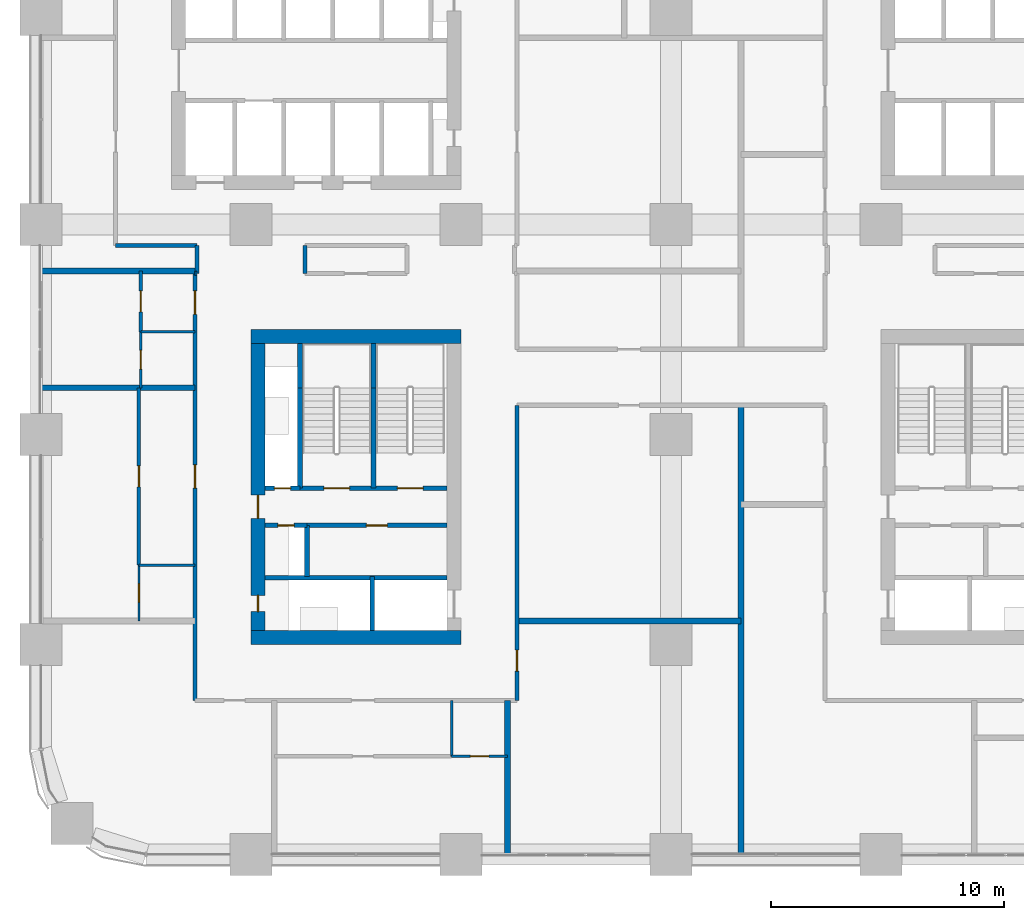
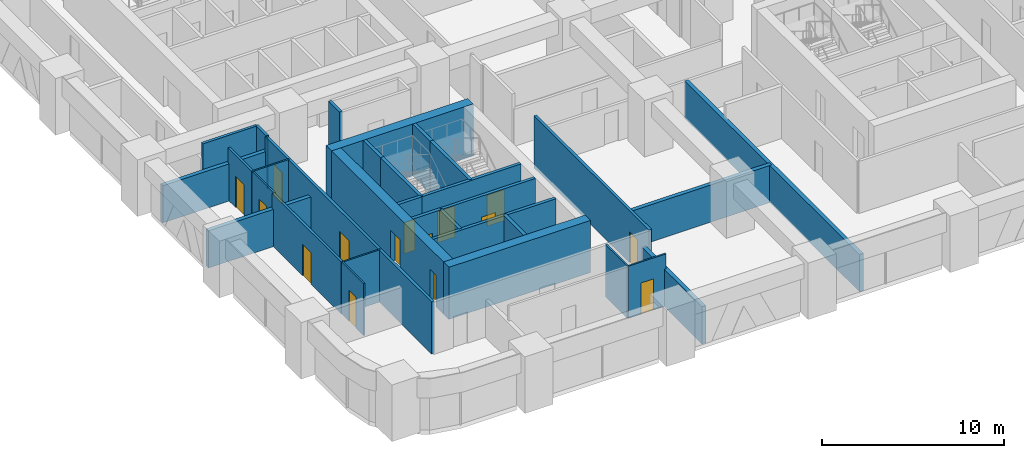
# One storey, part 12 of 21: 33 walls, 15 doors, 15 openings.
"""IFC4 building model written with IfcOpenShell, lengths in metres."""

from ifc_helpers import new_model, si_unit, direction, frame, frame_2d, origin, place, context, subcontext, project, spatial, rectangle, extrude, material, layer, layer_set, type_object, element, fill, save


model = new_model("IFC4")

# Units and contexts
model_context = context("Model", 3, precision=1e-05, world=origin(), true_north=direction((0.0, 1.0)))
body_context = subcontext(model_context, "Body", "Model", "MODEL_VIEW")
ifc_project = project(units=[si_unit("LENGTHUNIT", "METRE"), si_unit("AREAUNIT", "SQUARE_METRE"), si_unit("VOLUMEUNIT", "CUBIC_METRE"), si_unit("PLANEANGLEUNIT", "RADIAN"), si_unit("MASSUNIT", "GRAM", prefix="KILO")], contexts=[model_context])

# Site, building, storey
site_placement = place(None, origin())
site = spatial("IfcSite", under=ifc_project, at=site_placement, CompositionType="ELEMENT")
building_placement = place(site_placement, origin())
building = spatial("IfcBuilding", under=site, at=building_placement, Name="Tessera Arch", CompositionType="ELEMENT")
storey_placement = place(building_placement, frame((0.0, 0.0, 50.0)))
storey = spatial("IfcBuildingStorey", under=building, at=storey_placement, Name="L10", CompositionType="ELEMENT", Elevation=50.0)

# Wall, opening, door
ifc_material_1 = material(Name="Gypsum board on steel stud", Category="steel")
ifc_layer_1 = layer(ifc_material_1, 0.125)
ifc_layer_set_1 = layer_set([ifc_layer_1], Name="Core partition 125 EI 60")
wall_type_1 = type_object("IfcWallType", Name="Core partition 125 EI 60", PredefinedType="PARTITIONING", material=ifc_layer_set_1)
wall_1_placement = place(storey_placement, frame((11.39990234375, 14.10009765625, 0.0), z_axis=(0.0, 0.0, 1.0), x_axis=(1.0, 0.0, 0.0)))
wall_1 = element("IfcWall", 1, at=wall_1_placement, inside=storey, type_object=wall_type_1, Name="L10 C4 partition wall 8", PredefinedType="PARTITIONING", context=body_context, shape_type="SweptSolid", body=[
    extrude(rectangle(XDim=6.0, YDim=0.199951171875, at=frame_2d((3.0, 0.0))), origin(), (0.0, 0.0, 1.0), 3.5),
])
opening_1_placement = place(wall_1_placement, frame((2.550048828125, 0.0, 0.0)))
opening_1 = element("IfcOpeningElement", 2, at=opening_1_placement, cuts=wall_1, Name="Opening L10-C49", PredefinedType="OPENING", context=body_context, shape_type="SweptSolid", body=[
    extrude(rectangle(XDim=0.89990234375, YDim=2.10009765625, at=frame_2d((0.449951171875, 1.050048828125))), frame((0.0, 0.10986328125, 0.0), z_axis=(0.0, -1.0, 0.0), x_axis=(1.0, 0.0, 0.0)), (0.0, 0.0, 1.0), 0.219970703125),
])
ifc_material_2 = material(Name="Steel door leaf", Category="steel")
door_type_1 = type_object("IfcDoorType", Name="Store door FD30S 900 x 2100", OperationType="SINGLE_SWING_LEFT", PredefinedType="DOOR", material=ifc_material_2)
door_1_placement = place(opening_1_placement, origin())
door_1 = element("IfcDoor", 3, at=door_1_placement, inside=storey, type_object=door_type_1, Name="L10 C4 door 8 C49 type D09", OperationType="SINGLE_SWING_RIGHT", OverallHeight=2.10009765625, OverallWidth=0.89990234375, PredefinedType="DOOR", context=body_context, shape_type="SweptSolid", body=[
    extrude(rectangle(XDim=0.89990234375, YDim=2.10009765625, at=frame_2d((0.449951171875, 1.050048828125))), frame((0.0, 0.02490234375, 0.0), z_axis=(0.0, -1.0, 0.0), x_axis=(1.0, 0.0, 0.0)), (0.0, 0.0, 1.0), 0.050048828125),
])
fill(opening_1, door_1)

# Walls
ifc_material_3 = material(Name="Concrete C70/85", Category="concrete")
ifc_layer_2 = layer(ifc_material_3, 0.60009765625)
ifc_layer_set_2 = layer_set([ifc_layer_2], Name="Core shell wall 600 C70-85")
wall_type_2 = type_object("IfcWallType", Name="Core shell wall 600 C70-85", PredefinedType="SHEAR", material=ifc_layer_set_2)
for number, where, z_axis, x_axis, name in (
    (4, (9.0, 9.300048828125, 0.0), (0.0, 0.0, 1.0), (1.0, 0.0, 0.0), "L10 C4 core wall S"),
    (5, (9.0, 22.199951171875, 0.0), (0.0, 0.0, 1.0), (1.0, 0.0, 0.0), "L10 C4 core wall N"),
):
    element("IfcWall", number, at=place(storey_placement, frame(where, z_axis=z_axis, x_axis=x_axis)), inside=storey, type_object=wall_type_2, Name=name, PredefinedType="SHEAR", context=body_context, shape_type="SweptSolid", body=[
        extrude(rectangle(XDim=9.0, YDim=0.60009765625, at=frame_2d((4.5, 0.0))), origin(), (0.0, 0.0, 1.0), 3.5),
    ])

# Wall, openings, doors
wall_2_placement = place(storey_placement, frame((9.300048828125, 9.60009765625, 0.0), z_axis=(0.0, 0.0, 1.0), x_axis=(0.0, 1.0, 0.0)))
wall_2 = element("IfcWall", 6, at=wall_2_placement, inside=storey, type_object=wall_type_2, Name="L10 C4 core wall W", PredefinedType="SHEAR", context=body_context, shape_type="SweptSolid", body=[
    extrude(rectangle(XDim=12.2998046875, YDim=0.60009765625, at=frame_2d((6.14990234375, 0.0))), origin(), (0.0, 0.0, 1.0), 3.5),
])
opening_2_placement = place(wall_2_placement, frame((0.800048828125, 0.0, 0.0)))
opening_2 = element("IfcOpeningElement", 7, at=opening_2_placement, cuts=wall_2, Name="Opening L10-C47", PredefinedType="OPENING", context=body_context, shape_type="SweptSolid", body=[
    extrude(rectangle(XDim=0.699951171875, YDim=2.10009765625, at=frame_2d((0.35009765625, 1.050048828125))), frame((0.0, 0.31005859375, 0.0), z_axis=(0.0, -1.0, 0.0), x_axis=(1.0, 0.0, 0.0)), (0.0, 0.0, 1.0), 0.6201171875),
])
opening_3_placement = place(wall_2_placement, frame((4.800048828125, 0.0, 0.0)))
opening_3 = element("IfcOpeningElement", 8, at=opening_3_placement, cuts=wall_2, Name="Opening L10-C48", PredefinedType="OPENING", context=body_context, shape_type="SweptSolid", body=[
    extrude(rectangle(XDim=1.0, YDim=2.10009765625, at=frame_2d((0.5, 1.050048828125))), frame((0.0, 0.31005859375, 0.0), z_axis=(0.0, -1.0, 0.0), x_axis=(1.0, 0.0, 0.0)), (0.0, 0.0, 1.0), 0.6201171875),
])
ifc_material_4 = material(Name="Steel door leaf", Category="steel")
door_type_2 = type_object("IfcDoorType", Name="Corridor door FD60 1000 x 2100", OperationType="SINGLE_SWING_LEFT", PredefinedType="DOOR", material=ifc_material_4)
door_2_placement = place(opening_3_placement, origin())
door_2 = element("IfcDoor", 9, at=door_2_placement, inside=storey, type_object=door_type_2, Name="L10 C4 door 7 C48 type D12", OperationType="SINGLE_SWING_LEFT", OverallHeight=2.10009765625, OverallWidth=1.0, PredefinedType="DOOR", context=body_context, shape_type="SweptSolid", body=[
    extrude(rectangle(XDim=1.0, YDim=2.10009765625, at=frame_2d((0.5, 1.050048828125))), frame((0.0, 0.02490234375, 0.0), z_axis=(0.0, -1.0, 0.0), x_axis=(1.0, 0.0, 0.0)), (0.0, 0.0, 1.0), 0.050048828125),
])
fill(opening_3, door_2)
ifc_material_5 = material(Name="Steel door leaf", Category="steel")
door_type_3 = type_object("IfcDoorType", Name="Service shaft door FD60 700 x 2100", OperationType="SINGLE_SWING_LEFT", PredefinedType="DOOR", material=ifc_material_5)
door_3_placement = place(opening_2_placement, origin())
door_3 = element("IfcDoor", 10, at=door_3_placement, inside=storey, type_object=door_type_3, Name="L10 C4 door 6 C47 type D07", OperationType="SINGLE_SWING_LEFT", OverallHeight=2.10009765625, OverallWidth=0.699951171875, PredefinedType="DOOR", context=body_context, shape_type="SweptSolid", body=[
    extrude(rectangle(XDim=0.699951171875, YDim=2.10009765625, at=frame_2d((0.35009765625, 1.050048828125))), frame((0.0, 0.02490234375, 0.0), z_axis=(0.0, -1.0, 0.0), x_axis=(1.0, 0.0, 0.0)), (0.0, 0.0, 1.0), 0.050048828125),
])
fill(opening_2, door_3)

# Walls
ifc_material_6 = material(Name="Gypsum board on deep steel stud with mineral wool", Category="steel")
ifc_layer_3 = layer(ifc_material_6, 0.175048828125)
ifc_layer_set_3 = layer_set([ifc_layer_3], Name="Corridor wall 175 EI 60")
wall_type_3 = type_object("IfcWallType", Name="Corridor wall 175 EI 60", PredefinedType="PARTITIONING", material=ifc_layer_set_3)
wall_3_placement = place(storey_placement, frame((6.60009765625, 24.89990234375, 0.0), z_axis=(0.0, 0.0, 1.0), x_axis=(1.0, 0.0, 0.0)))
element("IfcWall", 11, at=wall_3_placement, inside=storey, type_object=wall_type_3, Name="L10 partition 5", PredefinedType="PARTITIONING", context=body_context, shape_type="SweptSolid", body=[
    extrude(rectangle(XDim=0.079833984375, YDim=0.175048828125, at=frame_2d((0.0400390625, 0.0))), origin(), (0.0, 0.0, 1.0), 3.5),
])
wall_4_placement = place(storey_placement, frame((3.199951171875, 26.10009765625, 0.0), z_axis=(0.0, 0.0, 1.0), x_axis=(1.0, 0.0, 0.0)))
element("IfcWall", 12, at=wall_4_placement, inside=storey, type_object=wall_type_3, Name="L10 partition 11", PredefinedType="PARTITIONING", context=body_context, shape_type="SweptSolid", body=[
    extrude(rectangle(XDim=3.47998046875, YDim=0.175048828125, at=frame_2d((1.739990234375, 0.0))), origin(), (0.0, 0.0, 1.0), 3.5),
])

# Wall, openings, doors
wall_5_placement = place(storey_placement, frame((6.60009765625, 6.60009765625, 0.0), z_axis=(0.0, 0.0, 1.0), x_axis=(0.0, 1.0, 0.0)))
wall_5 = element("IfcWall", 13, at=wall_5_placement, inside=storey, type_object=wall_type_3, Name="L10 partition 22", PredefinedType="PARTITIONING", context=body_context, shape_type="SweptSolid", body=[
    extrude(rectangle(XDim=18.2998046875, YDim=0.175048828125, at=frame_2d((9.14990234375, 0.0))), origin(), (0.0, 0.0, 1.0), 3.5),
])
opening_4_placement = place(wall_5_placement, frame((9.10009765625, 0.0, 0.0)))
opening_4 = element("IfcOpeningElement", 14, at=opening_4_placement, cuts=wall_5, Name="Opening L10-D010", PredefinedType="OPENING", context=body_context, shape_type="SweptSolid", body=[
    extrude(rectangle(XDim=1.0, YDim=2.10009765625, at=frame_2d((0.5, 1.050048828125))), frame((0.0, 0.097412109375, 0.0), z_axis=(0.0, -1.0, 0.0), x_axis=(1.0, 0.0, 0.0)), (0.0, 0.0, 1.0), 0.195068359375),
])
opening_5_placement = place(wall_5_placement, frame((16.550048828125, 0.0, 0.0)))
opening_5 = element("IfcOpeningElement", 15, at=opening_5_placement, cuts=wall_5, Name="Opening L10-D017", PredefinedType="OPENING", context=body_context, shape_type="SweptSolid", body=[
    extrude(rectangle(XDim=1.0, YDim=2.10009765625, at=frame_2d((0.5, 1.050048828125))), frame((0.0, 0.097412109375, 0.0), z_axis=(0.0, -1.0, 0.0), x_axis=(1.0, 0.0, 0.0)), (0.0, 0.0, 1.0), 0.195068359375),
])
ifc_material_7 = material(Name="Fire-rated door leaf")
door_type_4 = type_object("IfcDoorType", Name="Entrance door FD30S 1000 x 2100", OperationType="SINGLE_SWING_LEFT", PredefinedType="DOOR", material=ifc_material_7)
door_4_placement = place(opening_4_placement, origin())
door_4 = element("IfcDoor", 16, at=door_4_placement, inside=storey, type_object=door_type_4, Name="L10 door D010 type D03", OperationType="SINGLE_SWING_RIGHT", OverallHeight=2.10009765625, OverallWidth=1.0, PredefinedType="DOOR", context=body_context, shape_type="SweptSolid", body=[
    extrude(rectangle(XDim=1.0, YDim=2.10009765625, at=frame_2d((0.5, 1.050048828125))), frame((0.0, 0.02490234375, 0.0), z_axis=(0.0, -1.0, 0.0), x_axis=(1.0, 0.0, 0.0)), (0.0, 0.0, 1.0), 0.050048828125),
])
fill(opening_4, door_4)
door_5_placement = place(opening_5_placement, origin())
door_5 = element("IfcDoor", 17, at=door_5_placement, inside=storey, type_object=door_type_4, Name="L10 door D017 type D03", OperationType="SINGLE_SWING_LEFT", OverallHeight=2.10009765625, OverallWidth=1.0, PredefinedType="DOOR", context=body_context, shape_type="SweptSolid", body=[
    extrude(rectangle(XDim=1.0, YDim=2.10009765625, at=frame_2d((0.5, 1.050048828125))), frame((0.0, 0.02490234375, 0.0), z_axis=(0.0, -1.0, 0.0), x_axis=(1.0, 0.0, 0.0)), (0.0, 0.0, 1.0), 0.050048828125),
])
fill(opening_5, door_5)

# Walls
for number, where, z_axis, x_axis, name in (
    (18, (6.679931640625, 24.89990234375, 0.0), (0.0, 0.0, 1.0), (0.0, 1.0, 0.0), "L10 partition 23"),
    (19, (11.320068359375, 24.89990234375, 0.0), (0.0, 0.0, 1.0), (0.0, 1.0, 0.0), "L10 partition 24"),
):
    element("IfcWall", number, at=place(storey_placement, frame(where, z_axis=z_axis, x_axis=x_axis)), inside=storey, type_object=wall_type_3, Name=name, PredefinedType="PARTITIONING", context=body_context, shape_type="SweptSolid", body=[
        extrude(rectangle(XDim=1.2001953125, YDim=0.175048828125, at=frame_2d((0.60009765625, 0.0))), origin(), (0.0, 0.0, 1.0), 3.5),
    ])

# Wall, opening, door
wall_6_placement = place(storey_placement, frame((20.39990234375, 6.60009765625, 0.0), z_axis=(0.0, 0.0, 1.0), x_axis=(0.0, 1.0, 0.0)))
wall_6 = element("IfcWall", 20, at=wall_6_placement, inside=storey, type_object=wall_type_3, Name="L10 partition 27", PredefinedType="PARTITIONING", context=body_context, shape_type="SweptSolid", body=[
    extrude(rectangle(XDim=12.64990234375, YDim=0.175048828125, at=frame_2d((6.324951171875, 0.0))), origin(), (0.0, 0.0, 1.0), 3.5),
])
opening_6_placement = place(wall_6_placement, frame((1.25, 0.0, 0.0)))
opening_6 = element("IfcOpeningElement", 21, at=opening_6_placement, cuts=wall_6, Name="Opening L10-D005", PredefinedType="OPENING", context=body_context, shape_type="SweptSolid", body=[
    extrude(rectangle(XDim=0.89990234375, YDim=2.10009765625, at=frame_2d((0.449951171875, 1.050048828125))), frame((0.0, 0.097412109375, 0.0), z_axis=(0.0, -1.0, 0.0), x_axis=(1.0, 0.0, 0.0)), (0.0, 0.0, 1.0), 0.195068359375),
])
ifc_material_8 = material(Name="Timber door leaf", Category="wood")
door_type_5 = type_object("IfcDoorType", Name="Room door 900 x 2100", OperationType="SINGLE_SWING_LEFT", PredefinedType="DOOR", material=ifc_material_8)
door_6_placement = place(opening_6_placement, origin())
door_6 = element("IfcDoor", 22, at=door_6_placement, inside=storey, type_object=door_type_5, Name="L10 door D005 type D01", OperationType="SINGLE_SWING_RIGHT", OverallHeight=2.10009765625, OverallWidth=0.89990234375, PredefinedType="DOOR", context=body_context, shape_type="SweptSolid", body=[
    extrude(rectangle(XDim=0.89990234375, YDim=2.10009765625, at=frame_2d((0.449951171875, 1.050048828125))), frame((0.0, 0.02490234375, 0.0), z_axis=(0.0, -1.0, 0.0), x_axis=(1.0, 0.0, 0.0)), (0.0, 0.0, 1.0), 0.050048828125),
])
fill(opening_6, door_6)

ifc_material_9 = material(Name="Gypsum board on steel stud", Category="steel")
ifc_layer_4 = layer(ifc_material_9, 0.14990234375)
ifc_layer_set_4 = layer_set([ifc_layer_4], Name="Partition 150")
wall_type_4 = type_object("IfcWallType", Name="Partition 150", PredefinedType="PARTITIONING", material=ifc_layer_set_4)
wall_7_placement = place(storey_placement, frame((4.199951171875, 12.39990234375, 0.0), z_axis=(0.0, 0.0, 1.0), x_axis=(0.0, 1.0, 0.0)))
wall_7 = element("IfcWall", 23, at=wall_7_placement, inside=storey, type_object=wall_type_4, Name="L10 partition 42", PredefinedType="PARTITIONING", context=body_context, shape_type="SweptSolid", body=[
    extrude(rectangle(XDim=7.60009765625, YDim=0.14990234375, at=frame_2d((3.800048828125, 0.0))), origin(), (0.0, 0.0, 1.0), 3.5),
])
opening_7_placement = place(wall_7_placement, frame((3.35009765625, 0.0, 0.0)))
opening_7 = element("IfcOpeningElement", 24, at=opening_7_placement, cuts=wall_7, Name="Opening L10-D011", PredefinedType="OPENING", context=body_context, shape_type="SweptSolid", body=[
    extrude(rectangle(XDim=0.89990234375, YDim=2.10009765625, at=frame_2d((0.449951171875, 1.050048828125))), frame((0.0, 0.0849609375, 0.0), z_axis=(0.0, -1.0, 0.0), x_axis=(1.0, 0.0, 0.0)), (0.0, 0.0, 1.0), 0.169921875),
])
door_7_placement = place(opening_7_placement, origin())
door_7 = element("IfcDoor", 25, at=door_7_placement, inside=storey, type_object=door_type_5, Name="L10 door D011 type D01", OperationType="SINGLE_SWING_LEFT", OverallHeight=2.10009765625, OverallWidth=0.89990234375, PredefinedType="DOOR", context=body_context, shape_type="SweptSolid", body=[
    extrude(rectangle(XDim=0.89990234375, YDim=2.10009765625, at=frame_2d((0.449951171875, 1.050048828125))), frame((0.0, 0.02490234375, 0.0), z_axis=(0.0, -1.0, 0.0), x_axis=(1.0, 0.0, 0.0)), (0.0, 0.0, 1.0), 0.050048828125),
])
fill(opening_7, door_7)

wall_8_placement = place(storey_placement, frame((4.280029296875, 22.39990234375, 0.0), z_axis=(0.0, 0.0, 1.0), x_axis=(0.0, 1.0, 0.0)))
wall_8 = element("IfcWall", 26, at=wall_8_placement, inside=storey, type_object=wall_type_4, Name="L10 partition 43", PredefinedType="PARTITIONING", context=body_context, shape_type="SweptSolid", body=[
    extrude(rectangle(XDim=2.60009765625, YDim=0.14990234375, at=frame_2d((1.300048828125, 0.0))), origin(), (0.0, 0.0, 1.0), 3.5),
])
opening_8_placement = place(wall_8_placement, frame((0.85009765625, 0.0, 0.0)))
opening_8 = element("IfcOpeningElement", 27, at=opening_8_placement, cuts=wall_8, Name="Opening L10-D018", PredefinedType="OPENING", context=body_context, shape_type="SweptSolid", body=[
    extrude(rectangle(XDim=0.89990234375, YDim=2.10009765625, at=frame_2d((0.449951171875, 1.050048828125))), frame((0.0, 0.0849609375, 0.0), z_axis=(0.0, -1.0, 0.0), x_axis=(1.0, 0.0, 0.0)), (0.0, 0.0, 1.0), 0.169921875),
])
door_8_placement = place(opening_8_placement, origin())
door_8 = element("IfcDoor", 28, at=door_8_placement, inside=storey, type_object=door_type_5, Name="L10 door D018 type D01", OperationType="SINGLE_SWING_RIGHT", OverallHeight=2.10009765625, OverallWidth=0.89990234375, PredefinedType="DOOR", context=body_context, shape_type="SweptSolid", body=[
    extrude(rectangle(XDim=0.89990234375, YDim=2.10009765625, at=frame_2d((0.449951171875, 1.050048828125))), frame((0.0, 0.02490234375, 0.0), z_axis=(0.0, -1.0, 0.0), x_axis=(1.0, 0.0, 0.0)), (0.0, 0.0, 1.0), 0.050048828125),
])
fill(opening_8, door_8)

# Walls
ifc_material_10 = material(Name="Double gypsum board on twin steel stud with acoustic mineral wool", Category="steel")
ifc_layer_5 = layer(ifc_material_10, 0.25)
ifc_layer_set_5 = layer_set([ifc_layer_5], Name="Party wall 250 EI 60")
wall_type_5 = type_object("IfcWallType", Name="Party wall 250 EI 60", PredefinedType="PARTITIONING", material=ifc_layer_set_5)
wall_9_placement = place(storey_placement, frame((20.39990234375, 10.0, 0.0), z_axis=(0.0, 0.0, 1.0), x_axis=(1.0, 0.0, 0.0)))
element("IfcWall", 29, at=wall_9_placement, inside=storey, type_object=wall_type_5, Name="L10 partition 48", PredefinedType="PARTITIONING", context=body_context, shape_type="SweptSolid", body=[
    extrude(rectangle(XDim=9.60009765625, YDim=0.25, at=frame_2d((4.800048828125, 0.0))), origin(), (0.0, 0.0, 1.0), 2.5),
])
wall_10_placement = place(storey_placement, frame((0.0, 20.0, 0.0), z_axis=(0.0, 0.0, 1.0), x_axis=(1.0, 0.0, 0.0)))
element("IfcWall", 30, at=wall_10_placement, inside=storey, type_object=wall_type_5, Name="L10 partition 51", PredefinedType="PARTITIONING", context=body_context, shape_type="SweptSolid", body=[
    extrude(rectangle(XDim=6.60009765625, YDim=0.25, at=frame_2d((3.300048828125, 0.0))), origin(), (0.0, 0.0, 1.0), 2.5),
])
wall_11_placement = place(storey_placement, frame((0.0, 25.0, 0.0), z_axis=(0.0, 0.0, 1.0), x_axis=(1.0, 0.0, 0.0)))
element("IfcWall", 31, at=wall_11_placement, inside=storey, type_object=wall_type_5, Name="L10 partition 53", PredefinedType="PARTITIONING", context=body_context, shape_type="SweptSolid", body=[
    extrude(rectangle(XDim=6.679931640625, YDim=0.25, at=frame_2d((3.33984375, 0.0))), origin(), (0.0, 0.0, 1.0), 2.5),
])
wall_12_placement = place(storey_placement, frame((20.0, 0.0, 0.0), z_axis=(0.0, 0.0, 1.0), x_axis=(0.0, 1.0, 0.0)))
element("IfcWall", 32, at=wall_12_placement, inside=storey, type_object=wall_type_5, Name="L10 partition 66", PredefinedType="PARTITIONING", context=body_context, shape_type="SweptSolid", body=[
    extrude(rectangle(XDim=6.60009765625, YDim=0.25, at=frame_2d((3.300048828125, 0.0))), origin(), (0.0, 0.0, 1.0), 2.5),
])
wall_13_placement = place(storey_placement, frame((30.0, 0.0, 0.0), z_axis=(0.0, 0.0, 1.0), x_axis=(0.0, 1.0, 0.0)))
element("IfcWall", 33, at=wall_13_placement, inside=storey, type_object=wall_type_5, Name="L10 partition 69", PredefinedType="PARTITIONING", context=body_context, shape_type="SweptSolid", body=[
    extrude(rectangle(XDim=19.25, YDim=0.25, at=frame_2d((9.625, 0.0))), origin(), (0.0, 0.0, 1.0), 2.5),
])
ifc_material_11 = material(Name="Concrete C40/50", Category="concrete")
ifc_layer_6 = layer(ifc_material_11, 0.199951171875)
ifc_layer_set_6 = layer_set([ifc_layer_6], Name="Shaft wall 200 EI 120")
wall_type_6 = type_object("IfcWallType", Name="Shaft wall 200 EI 120", PredefinedType="SOLIDWALL", material=ifc_layer_set_6)
wall_14_placement = place(storey_placement, frame((11.39990234375, 11.89990234375, 0.0), z_axis=(0.0, 0.0, 1.0), x_axis=(0.0, 1.0, 0.0)))
element("IfcWall", 34, at=wall_14_placement, inside=storey, type_object=wall_type_6, Name="L10 C4 shaft wall 3", PredefinedType="SOLIDWALL", context=body_context, shape_type="SweptSolid", body=[
    extrude(rectangle(XDim=2.2001953125, YDim=0.199951171875, at=frame_2d((1.10009765625, 0.0))), origin(), (0.0, 0.0, 1.0), 3.5),
])
wall_15_placement = place(storey_placement, frame((14.199951171875, 9.60009765625, 0.0), z_axis=(0.0, 0.0, 1.0), x_axis=(0.0, 1.0, 0.0)))
element("IfcWall", 35, at=wall_15_placement, inside=storey, type_object=wall_type_6, Name="L10 C4 shaft wall 4", PredefinedType="SOLIDWALL", context=body_context, shape_type="SweptSolid", body=[
    extrude(rectangle(XDim=2.2998046875, YDim=0.199951171875, at=frame_2d((1.14990234375, 0.0))), origin(), (0.0, 0.0, 1.0), 3.5),
])
wall_16_placement = place(storey_placement, frame((9.60009765625, 11.85009765625, 0.0), z_axis=(0.0, 0.0, 1.0), x_axis=(1.0, 0.0, 0.0)))
element("IfcWall", 36, at=wall_16_placement, inside=storey, type_object=wall_type_6, Name="L10 C4 shaft wall 7", PredefinedType="SOLIDWALL", context=body_context, shape_type="SweptSolid", body=[
    extrude(rectangle(XDim=7.7998046875, YDim=0.199951171875, at=frame_2d((3.89990234375, 0.0))), origin(), (0.0, 0.0, 1.0), 3.5),
])

# Wall, opening, door
wall_17_placement = place(storey_placement, frame((9.60009765625, 14.10009765625, 0.0), z_axis=(0.0, 0.0, 1.0), x_axis=(1.0, 0.0, 0.0)))
wall_17 = element("IfcWall", 37, at=wall_17_placement, inside=storey, type_object=wall_type_6, Name="L10 C4 shaft wall 9", PredefinedType="SOLIDWALL", context=body_context, shape_type="SweptSolid", body=[
    extrude(rectangle(XDim=1.7998046875, YDim=0.199951171875, at=frame_2d((0.89990234375, 0.0))), origin(), (0.0, 0.0, 1.0), 3.5),
])
opening_9_placement = place(wall_17_placement, frame((0.550048828125, 0.0, 0.0)))
opening_9 = element("IfcOpeningElement", 38, at=opening_9_placement, cuts=wall_17, Name="Opening L10-C46", PredefinedType="OPENING", context=body_context, shape_type="SweptSolid", body=[
    extrude(rectangle(XDim=0.699951171875, YDim=2.10009765625, at=frame_2d((0.35009765625, 1.050048828125))), frame((0.0, 0.10986328125, 0.0), z_axis=(0.0, -1.0, 0.0), x_axis=(1.0, 0.0, 0.0)), (0.0, 0.0, 1.0), 0.219970703125),
])
door_9_placement = place(opening_9_placement, origin())
door_9 = element("IfcDoor", 39, at=door_9_placement, inside=storey, type_object=door_type_3, Name="L10 C4 door 5 C46 type D07", OperationType="SINGLE_SWING_LEFT", OverallHeight=2.10009765625, OverallWidth=0.699951171875, PredefinedType="DOOR", context=body_context, shape_type="SweptSolid", body=[
    extrude(rectangle(XDim=0.699951171875, YDim=2.10009765625, at=frame_2d((0.35009765625, 1.050048828125))), frame((0.0, 0.02490234375, 0.0), z_axis=(0.0, -1.0, 0.0), x_axis=(1.0, 0.0, 0.0)), (0.0, 0.0, 1.0), 0.050048828125),
])
fill(opening_9, door_9)

wall_18_placement = place(storey_placement, frame((9.60009765625, 15.699951171875, 0.0), z_axis=(0.0, 0.0, 1.0), x_axis=(1.0, 0.0, 0.0)))
wall_18 = element("IfcWall", 40, at=wall_18_placement, inside=storey, type_object=wall_type_6, Name="L10 C4 shaft wall 10", PredefinedType="SOLIDWALL", context=body_context, shape_type="SweptSolid", body=[
    extrude(rectangle(XDim=1.5, YDim=0.199951171875, at=frame_2d((0.75, 0.0))), origin(), (0.0, 0.0, 1.0), 3.5),
])
opening_10_placement = place(wall_18_placement, frame((0.39990234375, 0.0, 0.0)))
opening_10 = element("IfcOpeningElement", 41, at=opening_10_placement, cuts=wall_18, Name="Opening L10-C45", PredefinedType="OPENING", context=body_context, shape_type="SweptSolid", body=[
    extrude(rectangle(XDim=0.699951171875, YDim=2.10009765625, at=frame_2d((0.35009765625, 1.050048828125))), frame((0.0, 0.10986328125, 0.0), z_axis=(0.0, -1.0, 0.0), x_axis=(1.0, 0.0, 0.0)), (0.0, 0.0, 1.0), 0.219970703125),
])
door_10_placement = place(opening_10_placement, origin())
door_10 = element("IfcDoor", 42, at=door_10_placement, inside=storey, type_object=door_type_3, Name="L10 C4 door 4 C45 type D07", OperationType="SINGLE_SWING_LEFT", OverallHeight=2.10009765625, OverallWidth=0.699951171875, PredefinedType="DOOR", context=body_context, shape_type="SweptSolid", body=[
    extrude(rectangle(XDim=0.699951171875, YDim=2.10009765625, at=frame_2d((0.35009765625, 1.050048828125))), frame((0.0, 0.02490234375, 0.0), z_axis=(0.0, -1.0, 0.0), x_axis=(1.0, 0.0, 0.0)), (0.0, 0.0, 1.0), 0.050048828125),
])
fill(opening_10, door_10)

# Walls
ifc_material_12 = material(Name="Concrete C40/50", Category="concrete")
ifc_layer_7 = layer(ifc_material_12, 0.199951171875)
ifc_layer_set_7 = layer_set([ifc_layer_7], Name="Stair well wall 200 REI 180")
wall_type_7 = type_object("IfcWallType", Name="Stair well wall 200 REI 180", PredefinedType="SOLIDWALL", material=ifc_layer_set_7)
wall_19_placement = place(storey_placement, frame((11.10009765625, 15.699951171875, 0.0), z_axis=(0.0, 0.0, 1.0), x_axis=(0.0, 1.0, 0.0)))
element("IfcWall", 43, at=wall_19_placement, inside=storey, type_object=wall_type_7, Name="L10 C4 shaft wall 1", PredefinedType="SOLIDWALL", context=body_context, shape_type="SweptSolid", body=[
    extrude(rectangle(XDim=4.300048828125, YDim=0.199951171875, at=frame_2d((2.14990234375, 0.0))), origin(), (0.0, 0.0, 1.0), 3.5),
])
wall_20_placement = place(storey_placement, frame((11.10009765625, 20.0, 0.0), z_axis=(0.0, 0.0, 1.0), x_axis=(0.0, 1.0, 0.0)))
element("IfcWall", 44, at=wall_20_placement, inside=storey, type_object=wall_type_7, Name="L10 C4 shaft wall 2", PredefinedType="SOLIDWALL", context=body_context, shape_type="SweptSolid", body=[
    extrude(rectangle(XDim=1.89990234375, YDim=0.199951171875, at=frame_2d((0.949951171875, 0.0))), origin(), (0.0, 0.0, 1.0), 3.5),
])
wall_21_placement = place(storey_placement, frame((14.25, 15.699951171875, 0.0), z_axis=(0.0, 0.0, 1.0), x_axis=(0.0, 1.0, 0.0)))
element("IfcWall", 45, at=wall_21_placement, inside=storey, type_object=wall_type_7, Name="L10 C4 shaft wall 5", PredefinedType="SOLIDWALL", context=body_context, shape_type="SweptSolid", body=[
    extrude(rectangle(XDim=4.300048828125, YDim=0.199951171875, at=frame_2d((2.14990234375, 0.0))), origin(), (0.0, 0.0, 1.0), 3.5),
])
wall_22_placement = place(storey_placement, frame((14.25, 20.0, 0.0), z_axis=(0.0, 0.0, 1.0), x_axis=(0.0, 1.0, 0.0)))
element("IfcWall", 46, at=wall_22_placement, inside=storey, type_object=wall_type_7, Name="L10 C4 shaft wall 6", PredefinedType="SOLIDWALL", context=body_context, shape_type="SweptSolid", body=[
    extrude(rectangle(XDim=1.89990234375, YDim=0.199951171875, at=frame_2d((0.949951171875, 0.0))), origin(), (0.0, 0.0, 1.0), 3.5),
])

# Wall, openings, doors
wall_23_placement = place(storey_placement, frame((11.10009765625, 15.699951171875, 0.0), z_axis=(0.0, 0.0, 1.0), x_axis=(1.0, 0.0, 0.0)))
wall_23 = element("IfcWall", 47, at=wall_23_placement, inside=storey, type_object=wall_type_7, Name="L10 C4 shaft wall 11", PredefinedType="SOLIDWALL", context=body_context, shape_type="SweptSolid", body=[
    extrude(rectangle(XDim=6.2998046875, YDim=0.199951171875, at=frame_2d((3.14990234375, 0.0))), origin(), (0.0, 0.0, 1.0), 3.5),
])
opening_11_placement = place(wall_23_placement, frame((4.175048828125, 0.0, 0.0)))
opening_11 = element("IfcOpeningElement", 48, at=opening_11_placement, cuts=wall_23, Name="Opening L10-C43", PredefinedType="OPENING", context=body_context, shape_type="SweptSolid", body=[
    extrude(rectangle(XDim=1.10009765625, YDim=2.10009765625, at=frame_2d((0.550048828125, 1.050048828125))), frame((0.0, 0.10986328125, 0.0), z_axis=(0.0, -1.0, 0.0), x_axis=(1.0, 0.0, 0.0)), (0.0, 0.0, 1.0), 0.219970703125),
])
opening_12_placement = place(wall_23_placement, frame((1.02490234375, 0.0, 0.0)))
opening_12 = element("IfcOpeningElement", 49, at=opening_12_placement, cuts=wall_23, Name="Opening L10-C44", PredefinedType="OPENING", context=body_context, shape_type="SweptSolid", body=[
    extrude(rectangle(XDim=1.10009765625, YDim=2.10009765625, at=frame_2d((0.550048828125, 1.050048828125))), frame((0.0, 0.10986328125, 0.0), z_axis=(0.0, -1.0, 0.0), x_axis=(1.0, 0.0, 0.0)), (0.0, 0.0, 1.0), 0.219970703125),
])
ifc_material_13 = material(Name="Steel door leaf", Category="steel")
door_type_6 = type_object("IfcDoorType", Name="Stair door FD60 1100 x 2100", OperationType="SINGLE_SWING_LEFT", PredefinedType="DOOR", material=ifc_material_13)
door_11_placement = place(opening_11_placement, origin())
door_11 = element("IfcDoor", 50, at=door_11_placement, inside=storey, type_object=door_type_6, Name="L10 C4 door 2 C43 type D05", OperationType="SINGLE_SWING_RIGHT", OverallHeight=2.10009765625, OverallWidth=1.10009765625, PredefinedType="DOOR", context=body_context, shape_type="SweptSolid", body=[
    extrude(rectangle(XDim=1.10009765625, YDim=2.10009765625, at=frame_2d((0.550048828125, 1.050048828125))), frame((0.0, 0.02490234375, 0.0), z_axis=(0.0, -1.0, 0.0), x_axis=(1.0, 0.0, 0.0)), (0.0, 0.0, 1.0), 0.050048828125),
])
fill(opening_11, door_11)
door_12_placement = place(opening_12_placement, origin())
door_12 = element("IfcDoor", 51, at=door_12_placement, inside=storey, type_object=door_type_6, Name="L10 C4 door 3 C44 type D05", OperationType="SINGLE_SWING_LEFT", OverallHeight=2.10009765625, OverallWidth=1.10009765625, PredefinedType="DOOR", context=body_context, shape_type="SweptSolid", body=[
    extrude(rectangle(XDim=1.10009765625, YDim=2.10009765625, at=frame_2d((0.550048828125, 1.050048828125))), frame((0.0, 0.02490234375, 0.0), z_axis=(0.0, -1.0, 0.0), x_axis=(1.0, 0.0, 0.0)), (0.0, 0.0, 1.0), 0.050048828125),
])
fill(opening_12, door_12)

# Wall, opening, door
ifc_material_14 = material(Name="Moisture-resistant board on pre-plumbed steel stud", Category="steel")
ifc_layer_8 = layer(ifc_material_14, 0.10009765625)
ifc_layer_set_8 = layer_set([ifc_layer_8], Name="Wet wall 100")
wall_type_8 = type_object("IfcWallType", Name="Wet wall 100", PredefinedType="PARTITIONING", material=ifc_layer_set_8)
wall_24_placement = place(storey_placement, frame((17.60009765625, 4.199951171875, 0.0), z_axis=(0.0, 0.0, 1.0), x_axis=(1.0, 0.0, 0.0)))
wall_24 = element("IfcWall", 52, at=wall_24_placement, inside=storey, type_object=wall_type_8, Name="L10 partition 76", PredefinedType="PARTITIONING", context=body_context, shape_type="SweptSolid", body=[
    extrude(rectangle(XDim=2.39990234375, YDim=0.10009765625, at=frame_2d((1.199951171875, 0.0))), origin(), (0.0, 0.0, 1.0), 3.5),
])
opening_13_placement = place(wall_24_placement, frame((0.800048828125, 0.0, 0.0)))
opening_13 = element("IfcOpeningElement", 53, at=opening_13_placement, cuts=wall_24, Name="Opening L10-D003", PredefinedType="OPENING", context=body_context, shape_type="SweptSolid", body=[
    extrude(rectangle(XDim=0.800048828125, YDim=2.10009765625, at=frame_2d((0.39990234375, 1.050048828125))), frame((0.0, 0.06005859375, 0.0), z_axis=(0.0, -1.0, 0.0), x_axis=(1.0, 0.0, 0.0)), (0.0, 0.0, 1.0), 0.1201171875),
])
ifc_material_15 = material(Name="Timber door leaf", Category="wood")
door_type_7 = type_object("IfcDoorType", Name="En-suite door 800 x 2100", OperationType="SINGLE_SWING_LEFT", PredefinedType="DOOR", material=ifc_material_15)
door_13_placement = place(opening_13_placement, origin())
door_13 = element("IfcDoor", 54, at=door_13_placement, inside=storey, type_object=door_type_7, Name="L10 door D003 type D02", OperationType="SINGLE_SWING_RIGHT", OverallHeight=2.10009765625, OverallWidth=0.800048828125, PredefinedType="DOOR", context=body_context, shape_type="SweptSolid", body=[
    extrude(rectangle(XDim=0.800048828125, YDim=2.10009765625, at=frame_2d((0.39990234375, 1.050048828125))), frame((0.0, 0.02490234375, 0.0), z_axis=(0.0, -1.0, 0.0), x_axis=(1.0, 0.0, 0.0)), (0.0, 0.0, 1.0), 0.050048828125),
])
fill(opening_13, door_13)

# Walls
wall_25_placement = place(storey_placement, frame((4.199951171875, 12.39990234375, 0.0), z_axis=(0.0, 0.0, 1.0), x_axis=(1.0, 0.0, 0.0)))
element("IfcWall", 55, at=wall_25_placement, inside=storey, type_object=wall_type_8, Name="L10 partition 77", PredefinedType="PARTITIONING", context=body_context, shape_type="SweptSolid", body=[
    extrude(rectangle(XDim=2.400146484375, YDim=0.10009765625, at=frame_2d((1.2001953125, 0.0))), origin(), (0.0, 0.0, 1.0), 3.5),
])
wall_26_placement = place(storey_placement, frame((4.280029296875, 22.39990234375, 0.0), z_axis=(0.0, 0.0, 1.0), x_axis=(1.0, 0.0, 0.0)))
element("IfcWall", 56, at=wall_26_placement, inside=storey, type_object=wall_type_8, Name="L10 partition 79", PredefinedType="PARTITIONING", context=body_context, shape_type="SweptSolid", body=[
    extrude(rectangle(XDim=2.320068359375, YDim=0.10009765625, at=frame_2d((1.16015625, 0.0))), origin(), (0.0, 0.0, 1.0), 3.5),
])

# Wall, opening, door
wall_27_placement = place(storey_placement, frame((4.199951171875, 10.0, 0.0), z_axis=(0.0, 0.0, 1.0), x_axis=(0.0, 1.0, 0.0)))
wall_27 = element("IfcWall", 57, at=wall_27_placement, inside=storey, type_object=wall_type_8, Name="L10 partition 81", PredefinedType="PARTITIONING", context=body_context, shape_type="SweptSolid", body=[
    extrude(rectangle(XDim=2.39990234375, YDim=0.10009765625, at=frame_2d((1.199951171875, 0.0))), origin(), (0.0, 0.0, 1.0), 3.5),
])
opening_14_placement = place(wall_27_placement, frame((0.800048828125, 0.0, 0.0)))
opening_14 = element("IfcOpeningElement", 58, at=opening_14_placement, cuts=wall_27, Name="Opening L10-D012", PredefinedType="OPENING", context=body_context, shape_type="SweptSolid", body=[
    extrude(rectangle(XDim=0.800048828125, YDim=2.10009765625, at=frame_2d((0.39990234375, 1.050048828125))), frame((0.0, 0.06005859375, 0.0), z_axis=(0.0, -1.0, 0.0), x_axis=(1.0, 0.0, 0.0)), (0.0, 0.0, 1.0), 0.1201171875),
])
door_14_placement = place(opening_14_placement, origin())
door_14 = element("IfcDoor", 59, at=door_14_placement, inside=storey, type_object=door_type_7, Name="L10 door D012 type D02", OperationType="SINGLE_SWING_RIGHT", OverallHeight=2.10009765625, OverallWidth=0.800048828125, PredefinedType="DOOR", context=body_context, shape_type="SweptSolid", body=[
    extrude(rectangle(XDim=0.800048828125, YDim=2.10009765625, at=frame_2d((0.39990234375, 1.050048828125))), frame((0.0, 0.02490234375, 0.0), z_axis=(0.0, -1.0, 0.0), x_axis=(1.0, 0.0, 0.0)), (0.0, 0.0, 1.0), 0.050048828125),
])
fill(opening_14, door_14)

wall_28_placement = place(storey_placement, frame((4.280029296875, 20.0, 0.0), z_axis=(0.0, 0.0, 1.0), x_axis=(0.0, 1.0, 0.0)))
wall_28 = element("IfcWall", 60, at=wall_28_placement, inside=storey, type_object=wall_type_8, Name="L10 partition 82", PredefinedType="PARTITIONING", context=body_context, shape_type="SweptSolid", body=[
    extrude(rectangle(XDim=2.39990234375, YDim=0.10009765625, at=frame_2d((1.199951171875, 0.0))), origin(), (0.0, 0.0, 1.0), 3.5),
])
opening_15_placement = place(wall_28_placement, frame((0.800048828125, 0.0, 0.0)))
opening_15 = element("IfcOpeningElement", 61, at=opening_15_placement, cuts=wall_28, Name="Opening L10-D019", PredefinedType="OPENING", context=body_context, shape_type="SweptSolid", body=[
    extrude(rectangle(XDim=0.800048828125, YDim=2.10009765625, at=frame_2d((0.39990234375, 1.050048828125))), frame((0.0, 0.06005859375, 0.0), z_axis=(0.0, -1.0, 0.0), x_axis=(1.0, 0.0, 0.0)), (0.0, 0.0, 1.0), 0.1201171875),
])
door_15_placement = place(opening_15_placement, origin())
door_15 = element("IfcDoor", 62, at=door_15_placement, inside=storey, type_object=door_type_7, Name="L10 door D019 type D02", OperationType="SINGLE_SWING_LEFT", OverallHeight=2.10009765625, OverallWidth=0.800048828125, PredefinedType="DOOR", context=body_context, shape_type="SweptSolid", body=[
    extrude(rectangle(XDim=0.800048828125, YDim=2.10009765625, at=frame_2d((0.39990234375, 1.050048828125))), frame((0.0, 0.02490234375, 0.0), z_axis=(0.0, -1.0, 0.0), x_axis=(1.0, 0.0, 0.0)), (0.0, 0.0, 1.0), 0.050048828125),
])
fill(opening_15, door_15)

# Wall
wall_29_placement = place(storey_placement, frame((17.60009765625, 4.199951171875, 0.0), z_axis=(0.0, 0.0, 1.0), x_axis=(0.0, 1.0, 0.0)))
element("IfcWall", 63, at=wall_29_placement, inside=storey, type_object=wall_type_8, Name="L10 partition 83", PredefinedType="PARTITIONING", context=body_context, shape_type="SweptSolid", body=[
    extrude(rectangle(XDim=2.400146484375, YDim=0.10009765625, at=frame_2d((1.2001953125, 0.0))), origin(), (0.0, 0.0, 1.0), 3.5),
])

save(model, "model.ifc")
